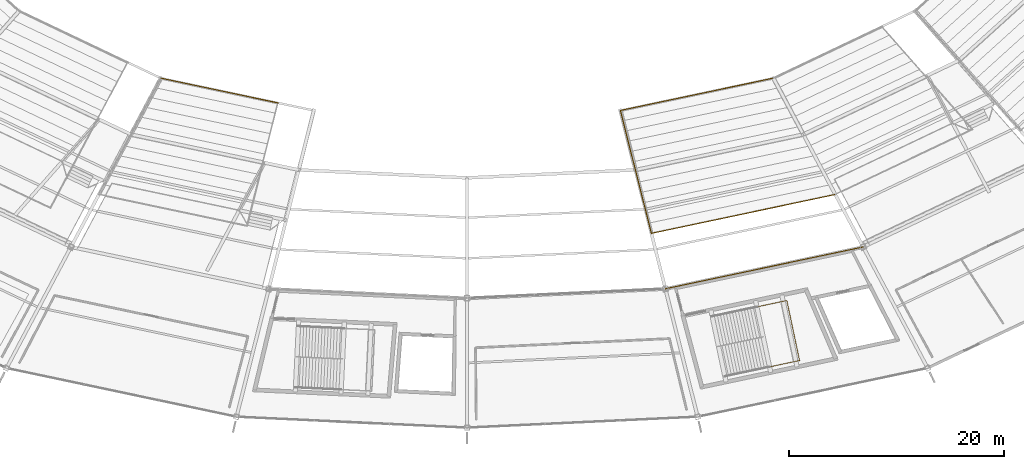
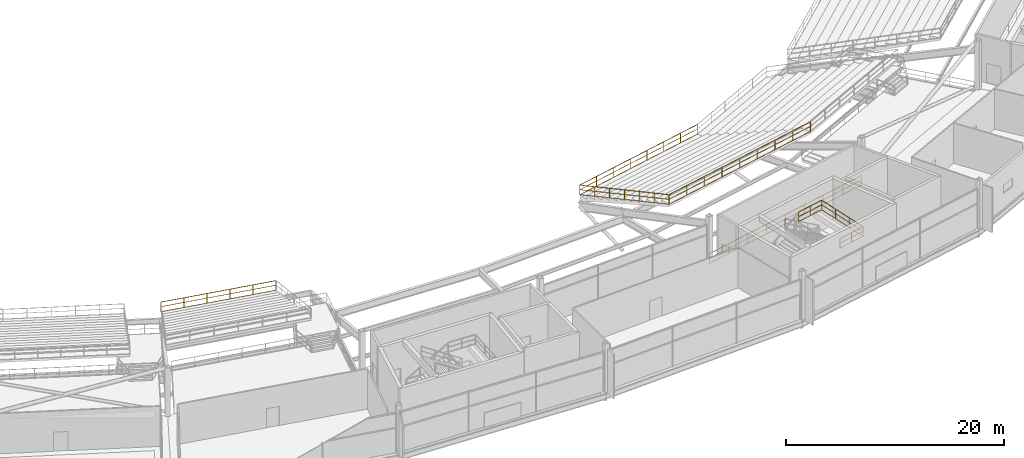
# One storey, part 173 of 186: 6 railings.
"""IFC4 building model written with IfcOpenShell, lengths in metres."""

from ifc_helpers import new_model, si_unit, direction, frame, origin, origin_2d, place, context, subcontext, project, spatial, rectangle, extrude, material, type_object, element, save


model = new_model("IFC4")

# Units and contexts
model_context = context("Model", 3, precision=1e-05, world=origin(), true_north=direction((0.0, 1.0)))
body_context = subcontext(model_context, "Body", "Model", "MODEL_VIEW")
ifc_project = project(units=[si_unit("LENGTHUNIT", "METRE"), si_unit("AREAUNIT", "SQUARE_METRE"), si_unit("VOLUMEUNIT", "CUBIC_METRE"), si_unit("PLANEANGLEUNIT", "RADIAN"), si_unit("MASSUNIT", "GRAM", prefix="KILO")], contexts=[model_context])

# Site, building, storey
site_placement = place(None, origin())
site = spatial("IfcSite", under=ifc_project, at=site_placement, CompositionType="ELEMENT")
building_placement = place(site_placement, origin())
building = spatial("IfcBuilding", under=site, at=building_placement, Name="Kazemori Nagisa Stadium", CompositionType="ELEMENT")
storey_placement = place(building_placement, frame((0.0, 0.0, 20.39990234375)))
storey = spatial("IfcBuildingStorey", under=building, at=storey_placement, Name="L04", CompositionType="ELEMENT", Elevation=20.39990234375)

# Railings
ifc_material_1 = material(Name="Laminated safety glass and stainless steel SUS304", Category="steel")
railing_type_1 = type_object("IfcRailingType", Name="Rail_BAL", PredefinedType="BALUSTRADE", material=ifc_material_1)
railing_1_placement = place(storey_placement, frame((141.427734375, 28.911376953125, 0.0)))
element("IfcRailing", 1, at=railing_1_placement, inside=storey, type_object=railing_type_1, Name="Upper concourse balustrade L04-B23", PredefinedType="BALUSTRADE", context=body_context, shape_type="SweptSolid", body=[
    extrude(rectangle(XDim=0.050048828125, YDim=0.050048828125, at=origin_2d()), frame((0.0, 0.0, 1.09521484375), z_axis=(0.978345149833, 0.206980114499, 0.0), x_axis=(-0.206980114499, 0.978345149833, 0.0)), (0.0, 0.0, 1.0), 18.791259765625),
    extrude(rectangle(XDim=0.03759765625, YDim=0.03759765625, at=origin_2d()), frame((0.0, 0.0, 0.58251953125), z_axis=(0.978345149833, 0.206980114499, 0.0), x_axis=(-0.206980114499, 0.978345149833, 0.0)), (0.0, 0.0, 1.0), 18.791259765625),
    extrude(rectangle(XDim=0.03759765625, YDim=0.03759765625, at=origin_2d()), frame((0.0, 0.0, 0.02490234375), z_axis=(0.978345149833, 0.206980114499, 0.0), x_axis=(-0.206980114499, 0.978345149833, 0.0)), (0.0, 0.0, 1.0), 18.791259765625),
    extrude(rectangle(XDim=0.044921875, YDim=0.044921875, at=origin_2d()), origin(), (0.0, 0.0, 1.0), 1.070068359375),
    extrude(rectangle(XDim=0.044921875, YDim=0.044921875, at=origin_2d()), frame((2.298095703125, 0.486083984375, 0.0)), (0.0, 0.0, 1.0), 1.070068359375),
    extrude(rectangle(XDim=0.044921875, YDim=0.044921875, at=origin_2d()), frame((4.59619140625, 0.972412109375, 0.0)), (0.0, 0.0, 1.0), 1.070068359375),
    extrude(rectangle(XDim=0.044921875, YDim=0.044921875, at=origin_2d()), frame((6.89404296875, 1.45849609375, 0.0)), (0.0, 0.0, 1.0), 1.070068359375),
    extrude(rectangle(XDim=0.044921875, YDim=0.044921875, at=origin_2d()), frame((9.192138671875, 1.94482421875, 0.0)), (0.0, 0.0, 1.0), 1.070068359375),
    extrude(rectangle(XDim=0.044921875, YDim=0.044921875, at=origin_2d()), frame((11.490234375, 2.430908203125, 0.0)), (0.0, 0.0, 1.0), 1.070068359375),
    extrude(rectangle(XDim=0.044921875, YDim=0.044921875, at=origin_2d()), frame((13.7880859375, 2.9169921875, 0.0)), (0.0, 0.0, 1.0), 1.070068359375),
    extrude(rectangle(XDim=0.044921875, YDim=0.044921875, at=origin_2d()), frame((16.086181640625, 3.4033203125, 0.0)), (0.0, 0.0, 1.0), 1.070068359375),
    extrude(rectangle(XDim=0.044921875, YDim=0.044921875, at=origin_2d()), frame((18.38427734375, 3.889404296875, 0.0)), (0.0, 0.0, 1.0), 1.070068359375),
])
ifc_material_2 = material(Name="Galvanised powder-coated steel", Category="steel")
railing_type_2 = type_object("IfcRailingType", Name="Rail_GUARD", PredefinedType="GUARDRAIL", material=ifc_material_2)
railing_2_placement = place(storey_placement, frame((149.929931640625, 27.231689453125, 2.72021484375)))
element("IfcRailing", 2, at=railing_2_placement, inside=storey, type_object=railing_type_2, Name="Stair landing guard ST06-L04", PredefinedType="GUARDRAIL", context=body_context, shape_type="SweptSolid", body=[
    extrude(rectangle(XDim=0.050048828125, YDim=0.050048828125, at=origin_2d()), frame((0.0, 0.0, 1.09521484375), z_axis=(0.978332021586, 0.207042158845, 0.0), x_axis=(-0.207042158845, 0.978332021586, 0.0)), (0.0, 0.0, 1.0), 2.85009765625),
    extrude(rectangle(XDim=0.03759765625, YDim=0.03759765625, at=origin_2d()), frame((0.0, 0.0, 0.58251953125), z_axis=(0.978332021586, 0.207042158845, 0.0), x_axis=(-0.207042158845, 0.978332021586, 0.0)), (0.0, 0.0, 1.0), 2.85009765625),
    extrude(rectangle(XDim=0.03759765625, YDim=0.03759765625, at=origin_2d()), frame((0.0, 0.0, 0.02490234375), z_axis=(0.978332021586, 0.207042158845, 0.0), x_axis=(-0.207042158845, 0.978332021586, 0.0)), (0.0, 0.0, 1.0), 2.85009765625),
    extrude(rectangle(XDim=0.050048828125, YDim=0.050048828125, at=origin_2d()), frame((2.788330078125, 0.590087890625, 1.09521484375), z_axis=(0.206960167837, -0.978349369565, 0.0), x_axis=(0.978349369565, 0.206960167837, 0.0)), (0.0, 0.0, 1.0), 5.699951171875),
    extrude(rectangle(XDim=0.03759765625, YDim=0.03759765625, at=origin_2d()), frame((2.788330078125, 0.590087890625, 0.58251953125), z_axis=(0.206960167837, -0.978349369565, 0.0), x_axis=(0.978349369565, 0.206960167837, 0.0)), (0.0, 0.0, 1.0), 5.699951171875),
    extrude(rectangle(XDim=0.03759765625, YDim=0.03759765625, at=origin_2d()), frame((2.788330078125, 0.590087890625, 0.02490234375), z_axis=(0.206960167837, -0.978349369565, 0.0), x_axis=(0.978349369565, 0.206960167837, 0.0)), (0.0, 0.0, 1.0), 5.699951171875),
    extrude(rectangle(XDim=0.050048828125, YDim=0.050048828125, at=origin_2d()), frame((3.968017578125, -4.986572265625, 1.09521484375), z_axis=(-0.978345699972, -0.20697751411, 0.0), x_axis=(0.20697751411, -0.978345699972, 0.0)), (0.0, 0.0, 1.0), 2.849853515625),
    extrude(rectangle(XDim=0.03759765625, YDim=0.03759765625, at=origin_2d()), frame((3.968017578125, -4.986572265625, 0.58251953125), z_axis=(-0.978345699972, -0.20697751411, 0.0), x_axis=(0.20697751411, -0.978345699972, 0.0)), (0.0, 0.0, 1.0), 2.849853515625),
    extrude(rectangle(XDim=0.03759765625, YDim=0.03759765625, at=origin_2d()), frame((3.968017578125, -4.986572265625, 0.02490234375), z_axis=(-0.978345699972, -0.20697751411, 0.0), x_axis=(0.20697751411, -0.978345699972, 0.0)), (0.0, 0.0, 1.0), 2.849853515625),
    extrude(rectangle(XDim=0.044921875, YDim=0.044921875, at=origin_2d()), origin(), (0.0, 0.0, 1.0), 1.070068359375),
    extrude(rectangle(XDim=0.044921875, YDim=0.044921875, at=origin_2d()), frame((1.39404296875, 0.294921875, 0.0)), (0.0, 0.0, 1.0), 1.070068359375),
    extrude(rectangle(XDim=0.044921875, YDim=0.044921875, at=origin_2d()), frame((2.788330078125, 0.590087890625, 0.0)), (0.0, 0.0, 1.0), 1.070068359375),
    extrude(rectangle(XDim=0.044921875, YDim=0.044921875, at=origin_2d()), frame((3.181640625, -1.268798828125, 0.0)), (0.0, 0.0, 1.0), 1.070068359375),
    extrude(rectangle(XDim=0.044921875, YDim=0.044921875, at=origin_2d()), frame((3.57470703125, -3.127685546875, 0.0)), (0.0, 0.0, 1.0), 1.070068359375),
    extrude(rectangle(XDim=0.044921875, YDim=0.044921875, at=origin_2d()), frame((3.968017578125, -4.986572265625, 0.0)), (0.0, 0.0, 1.0), 1.070068359375),
    extrude(rectangle(XDim=0.044921875, YDim=0.044921875, at=origin_2d()), frame((2.573974609375, -5.281494140625, 0.0)), (0.0, 0.0, 1.0), 1.070068359375),
    extrude(rectangle(XDim=0.044921875, YDim=0.044921875, at=origin_2d()), frame((1.179931640625, -5.576416015625, 0.0)), (0.0, 0.0, 1.0), 1.070068359375),
])
railing_3_placement = place(storey_placement, frame((94.534912109375, 48.4912109375, -0.8798828125)))
element("IfcRailing", 3, at=railing_3_placement, inside=storey, type_object=railing_type_2, Name="Upper tier front crowd barrier B20", PredefinedType="GUARDRAIL", context=body_context, shape_type="SweptSolid", body=[
    extrude(rectangle(XDim=0.050048828125, YDim=0.050048828125, at=origin_2d()), frame((0.0, 0.0, 1.09521484375), z_axis=(0.978346372048, -0.206974337301, 0.0), x_axis=(0.206974337301, 0.978346372048, 0.0)), (0.0, 0.0, 1.0), 11.13037109375),
    extrude(rectangle(XDim=0.03759765625, YDim=0.03759765625, at=origin_2d()), frame((0.0, 0.0, 0.58251953125), z_axis=(0.978346372048, -0.206974337301, 0.0), x_axis=(0.206974337301, 0.978346372048, 0.0)), (0.0, 0.0, 1.0), 11.13037109375),
    extrude(rectangle(XDim=0.03759765625, YDim=0.03759765625, at=origin_2d()), frame((0.0, 0.0, 0.02490234375), z_axis=(0.978346372048, -0.206974337301, 0.0), x_axis=(0.206974337301, 0.978346372048, 0.0)), (0.0, 0.0, 1.0), 11.13037109375),
    extrude(rectangle(XDim=0.044921875, YDim=0.044921875, at=origin_2d()), origin(), (0.0, 0.0, 1.0), 1.070068359375),
    extrude(rectangle(XDim=0.044921875, YDim=0.044921875, at=origin_2d()), frame((2.177978515625, -0.460693359375, 0.0)), (0.0, 0.0, 1.0), 1.070068359375),
    extrude(rectangle(XDim=0.044921875, YDim=0.044921875, at=origin_2d()), frame((4.355712890625, -0.92138671875, 0.0)), (0.0, 0.0, 1.0), 1.070068359375),
    extrude(rectangle(XDim=0.044921875, YDim=0.044921875, at=origin_2d()), frame((6.53369140625, -1.38232421875, 0.0)), (0.0, 0.0, 1.0), 1.070068359375),
    extrude(rectangle(XDim=0.044921875, YDim=0.044921875, at=origin_2d()), frame((8.71142578125, -1.843017578125, 0.0)), (0.0, 0.0, 1.0), 1.070068359375),
    extrude(rectangle(XDim=0.044921875, YDim=0.044921875, at=origin_2d()), frame((10.889404296875, -2.3037109375, 0.0)), (0.0, 0.0, 1.0), 1.070068359375),
])
railing_4_placement = place(storey_placement, frame((137.24951171875, 45.483642578125, -0.8798828125)))
element("IfcRailing", 4, at=railing_4_placement, inside=storey, type_object=railing_type_2, Name="Upper tier front crowd barrier B23", PredefinedType="GUARDRAIL", context=body_context, shape_type="SweptSolid", body=[
    extrude(rectangle(XDim=0.050048828125, YDim=0.050048828125, at=origin_2d()), frame((0.0, 0.0, 1.09521484375), z_axis=(0.978343749073, 0.206986735446, 0.0), x_axis=(-0.206986735446, 0.978343749073, 0.0)), (0.0, 0.0, 1.0), 14.5302734375),
    extrude(rectangle(XDim=0.03759765625, YDim=0.03759765625, at=origin_2d()), frame((0.0, 0.0, 0.58251953125), z_axis=(0.978343749073, 0.206986735446, 0.0), x_axis=(-0.206986735446, 0.978343749073, 0.0)), (0.0, 0.0, 1.0), 14.5302734375),
    extrude(rectangle(XDim=0.03759765625, YDim=0.03759765625, at=origin_2d()), frame((0.0, 0.0, 0.02490234375), z_axis=(0.978343749073, 0.206986735446, 0.0), x_axis=(-0.206986735446, 0.978343749073, 0.0)), (0.0, 0.0, 1.0), 14.5302734375),
    extrude(rectangle(XDim=0.044921875, YDim=0.044921875, at=origin_2d()), origin(), (0.0, 0.0, 1.0), 1.070068359375),
    extrude(rectangle(XDim=0.044921875, YDim=0.044921875, at=origin_2d()), frame((2.03076171875, 0.4296875, 0.0)), (0.0, 0.0, 1.0), 1.070068359375),
    extrude(rectangle(XDim=0.044921875, YDim=0.044921875, at=origin_2d()), frame((4.0615234375, 0.859375, 0.0)), (0.0, 0.0, 1.0), 1.070068359375),
    extrude(rectangle(XDim=0.044921875, YDim=0.044921875, at=origin_2d()), frame((6.09228515625, 1.2890625, 0.0)), (0.0, 0.0, 1.0), 1.070068359375),
    extrude(rectangle(XDim=0.044921875, YDim=0.044921875, at=origin_2d()), frame((8.123291015625, 1.718505859375, 0.0)), (0.0, 0.0, 1.0), 1.070068359375),
    extrude(rectangle(XDim=0.044921875, YDim=0.044921875, at=origin_2d()), frame((10.154052734375, 2.148193359375, 0.0)), (0.0, 0.0, 1.0), 1.070068359375),
    extrude(rectangle(XDim=0.044921875, YDim=0.044921875, at=origin_2d()), frame((12.184814453125, 2.577880859375, 0.0)), (0.0, 0.0, 1.0), 1.070068359375),
    extrude(rectangle(XDim=0.044921875, YDim=0.044921875, at=origin_2d()), frame((14.215576171875, 3.007568359375, 0.0)), (0.0, 0.0, 1.0), 1.070068359375),
])
railing_5_placement = place(storey_placement, frame((140.12939453125, 34.0615234375, 3.960205078125)))
element("IfcRailing", 5, at=railing_5_placement, inside=storey, type_object=railing_type_2, Name="Upper tier rear guard B23", PredefinedType="GUARDRAIL", context=body_context, shape_type="SweptSolid", body=[
    extrude(rectangle(XDim=0.050048828125, YDim=0.050048828125, at=origin_2d()), frame((0.0, 0.0, 1.09521484375), z_axis=(0.978345838763, 0.206976858067, 0.0), x_axis=(-0.206976858067, 0.978345838763, 0.0)), (0.0, 0.0, 1.0), 17.466796875),
    extrude(rectangle(XDim=0.03759765625, YDim=0.03759765625, at=origin_2d()), frame((0.0, 0.0, 0.58251953125), z_axis=(0.978345838763, 0.206976858067, 0.0), x_axis=(-0.206976858067, 0.978345838763, 0.0)), (0.0, 0.0, 1.0), 17.466796875),
    extrude(rectangle(XDim=0.03759765625, YDim=0.03759765625, at=origin_2d()), frame((0.0, 0.0, 0.02490234375), z_axis=(0.978345838763, 0.206976858067, 0.0), x_axis=(-0.206976858067, 0.978345838763, 0.0)), (0.0, 0.0, 1.0), 17.466796875),
    extrude(rectangle(XDim=0.044921875, YDim=0.044921875, at=origin_2d()), origin(), (0.0, 0.0, 1.0), 1.070068359375),
    extrude(rectangle(XDim=0.044921875, YDim=0.044921875, at=origin_2d()), frame((2.135986328125, 0.451904296875, 0.0)), (0.0, 0.0, 1.0), 1.070068359375),
    extrude(rectangle(XDim=0.044921875, YDim=0.044921875, at=origin_2d()), frame((4.272216796875, 0.90380859375, 0.0)), (0.0, 0.0, 1.0), 1.070068359375),
    extrude(rectangle(XDim=0.044921875, YDim=0.044921875, at=origin_2d()), frame((6.408203125, 1.355712890625, 0.0)), (0.0, 0.0, 1.0), 1.070068359375),
    extrude(rectangle(XDim=0.044921875, YDim=0.044921875, at=origin_2d()), frame((8.54443359375, 1.8076171875, 0.0)), (0.0, 0.0, 1.0), 1.070068359375),
    extrude(rectangle(XDim=0.044921875, YDim=0.044921875, at=origin_2d()), frame((10.680419921875, 2.259521484375, 0.0)), (0.0, 0.0, 1.0), 1.070068359375),
    extrude(rectangle(XDim=0.044921875, YDim=0.044921875, at=origin_2d()), frame((12.81640625, 2.71142578125, 0.0)), (0.0, 0.0, 1.0), 1.070068359375),
    extrude(rectangle(XDim=0.044921875, YDim=0.044921875, at=origin_2d()), frame((14.95263671875, 3.163330078125, 0.0)), (0.0, 0.0, 1.0), 1.070068359375),
    extrude(rectangle(XDim=0.044921875, YDim=0.044921875, at=origin_2d()), frame((17.088623046875, 3.615234375, 0.0)), (0.0, 0.0, 1.0), 1.070068359375),
])
railing_6_placement = place(storey_placement, frame((137.24951171875, 45.483642578125, -0.8798828125)))
element("IfcRailing", 6, at=railing_6_placement, inside=storey, type_object=railing_type_2, Name="Upper tier radial step guard B23L", PredefinedType="GUARDRAIL", context=body_context, shape_type="SweptSolid", body=[
    extrude(rectangle(XDim=0.050048828125, YDim=0.050048828125, at=origin_2d()), frame((0.0, 0.0, 1.09521484375), z_axis=(0.226135891829, -0.896894515023, 0.380056294973), x_axis=(0.96965410336, 0.244480919167, 0.0)), (0.0, 0.0, 1.0), 12.735107421875),
    extrude(rectangle(XDim=0.03759765625, YDim=0.03759765625, at=origin_2d()), frame((0.0, 0.0, 0.58251953125), z_axis=(0.226135891829, -0.896894515023, 0.380056294973), x_axis=(0.96965410336, 0.244480919167, 0.0)), (0.0, 0.0, 1.0), 12.735107421875),
    extrude(rectangle(XDim=0.03759765625, YDim=0.03759765625, at=origin_2d()), frame((0.0, 0.0, 0.02490234375), z_axis=(0.226135891829, -0.896894515023, 0.380056294973), x_axis=(0.96965410336, 0.244480919167, 0.0)), (0.0, 0.0, 1.0), 12.735107421875),
    extrude(rectangle(XDim=0.044921875, YDim=0.044921875, at=origin_2d()), origin(), (0.0, 0.0, 1.0), 1.070068359375),
    extrude(rectangle(XDim=0.044921875, YDim=0.044921875, at=origin_2d()), frame((0.47998046875, -1.90380859375, 0.806640625)), (0.0, 0.0, 1.0), 1.070068359375),
    extrude(rectangle(XDim=0.044921875, YDim=0.044921875, at=origin_2d()), frame((0.9599609375, -3.807373046875, 1.61328125)), (0.0, 0.0, 1.0), 1.070068359375),
    extrude(rectangle(XDim=0.044921875, YDim=0.044921875, at=origin_2d()), frame((1.43994140625, -5.7109375, 2.419921875)), (0.0, 0.0, 1.0), 1.070068359375),
    extrude(rectangle(XDim=0.044921875, YDim=0.044921875, at=origin_2d()), frame((1.919921875, -7.61474609375, 3.226806640625)), (0.0, 0.0, 1.0), 1.070068359375),
    extrude(rectangle(XDim=0.044921875, YDim=0.044921875, at=origin_2d()), frame((2.39990234375, -9.5185546875, 4.033447265625)), (0.0, 0.0, 1.0), 1.070068359375),
    extrude(rectangle(XDim=0.044921875, YDim=0.044921875, at=origin_2d()), frame((2.8798828125, -11.422119140625, 4.840087890625)), (0.0, 0.0, 1.0), 1.070068359375),
])

save(model, "model.ifc")
